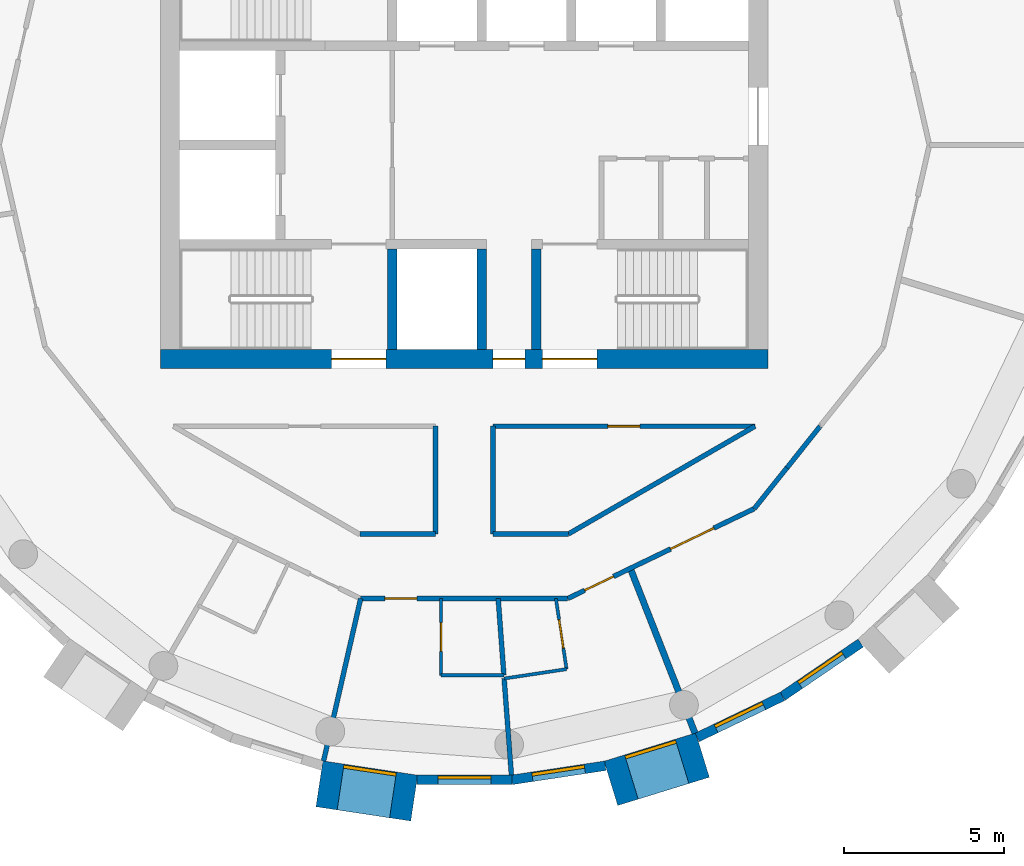
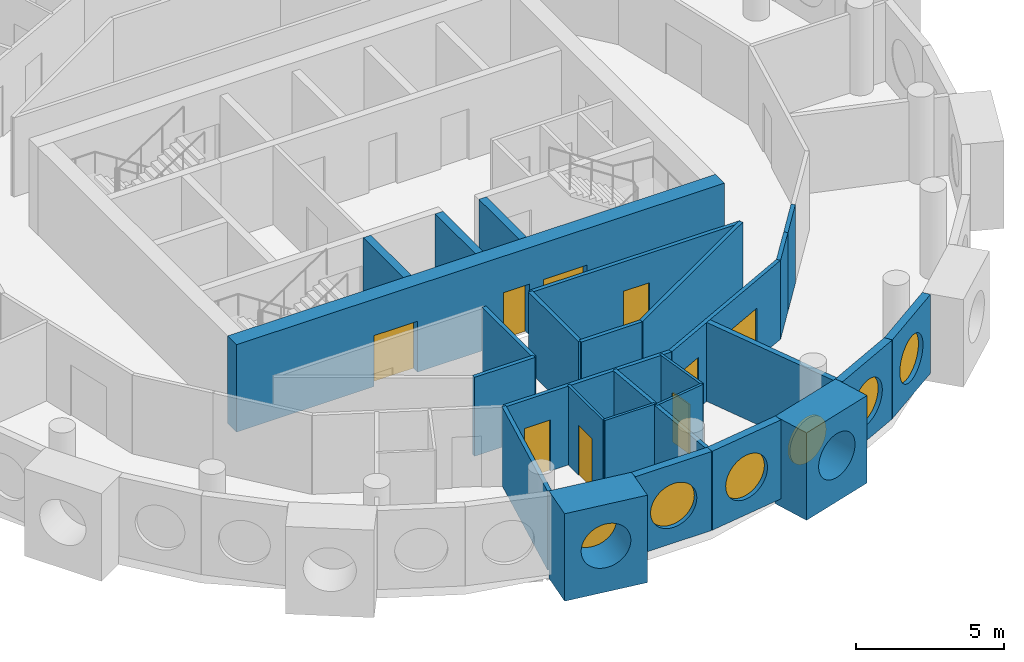
# One storey, part 4 of 13: 28 walls, 9 doors, 6 windows, 15 openings.
"""IFC4 building model written with IfcOpenShell, lengths in metres."""

from ifc_helpers import new_model, si_unit, direction, frame, frame_2d, origin, origin_2d, place, context, subcontext, project, spatial, rectangle, circle, extrude, material, layer, layer_set, type_object, element, fill, save


model = new_model("IFC4")

# Units and contexts
model_context = context("Model", 3, precision=1e-05, world=origin(), true_north=direction((0.0, 1.0)))
body_context = subcontext(model_context, "Body", "Model", "MODEL_VIEW")
ifc_project = project(units=[si_unit("LENGTHUNIT", "METRE"), si_unit("AREAUNIT", "SQUARE_METRE"), si_unit("VOLUMEUNIT", "CUBIC_METRE"), si_unit("PLANEANGLEUNIT", "RADIAN"), si_unit("MASSUNIT", "GRAM", prefix="KILO")], contexts=[model_context])

# Site, building, storey
site_placement = place(None, origin())
site = spatial("IfcSite", under=ifc_project, at=site_placement, CompositionType="ELEMENT")
building_placement = place(site_placement, origin())
building = spatial("IfcBuilding", under=site, at=building_placement, Name="Tracery Tower", CompositionType="ELEMENT")
storey_placement = place(building_placement, frame((0.0, 0.0, 319.800048828125)))
storey = spatial("IfcBuildingStorey", under=building, at=storey_placement, Name="L83", CompositionType="ELEMENT", Elevation=319.800048828125)

# Wall, openings, doors
ifc_material_1 = material(Name="Concrete C40/50", Category="concrete")
ifc_layer_1 = layer(ifc_material_1, 0.60009765625)
ifc_layer_set_1 = layer_set([ifc_layer_1], Name="Core wall 600 C40")
wall_type_1 = type_object("IfcWallType", Name="Core wall 600 C40", PredefinedType="SOLIDWALL", material=ifc_layer_set_1)
wall_1_placement = place(storey_placement, frame((-9.5, -6.699951171875, 0.0), z_axis=(0.0, 0.0, 1.0), x_axis=(1.0, 0.0, 0.0)))
wall_1 = element("IfcWall", 1, at=wall_1_placement, inside=storey, type_object=wall_type_1, Name="L83 outer S", PredefinedType="SOLIDWALL", context=body_context, shape_type="SweptSolid", body=[
    extrude(rectangle(XDim=19.0, YDim=0.60009765625, at=frame_2d((9.5, 0.0))), origin(), (0.0, 0.0, 1.0), 3.599853515625),
])
opening_1_placement = place(wall_1_placement, frame((10.39990234375, 0.0, 0.0)))
opening_1 = element("IfcOpeningElement", 2, at=opening_1_placement, cuts=wall_1, Name="Opening KD16", PredefinedType="OPENING", context=body_context, shape_type="SweptSolid", body=[
    extrude(rectangle(XDim=1.0, YDim=2.10009765625, at=frame_2d((0.5, 1.050048828125))), frame((0.0, 0.300048828125, 0.0), z_axis=(0.0, -1.0, 0.0), x_axis=(1.0, 0.0, 0.0)), (0.0, 0.0, 1.0), 0.60009765625),
])
opening_2_placement = place(wall_1_placement, frame((5.35009765625, 0.0, 0.0)))
opening_2 = element("IfcOpeningElement", 3, at=opening_2_placement, cuts=wall_1, Name="Opening KD3", PredefinedType="OPENING", context=body_context, shape_type="SweptSolid", body=[
    extrude(rectangle(XDim=1.699951171875, YDim=2.10009765625, at=frame_2d((0.85009765625, 1.050048828125))), frame((0.0, 0.300048828125, 0.0), z_axis=(0.0, -1.0, 0.0), x_axis=(1.0, 0.0, 0.0)), (0.0, 0.0, 1.0), 0.60009765625),
])
opening_3_placement = place(wall_1_placement, frame((11.949951171875, 0.0, 0.0)))
opening_3 = element("IfcOpeningElement", 4, at=opening_3_placement, cuts=wall_1, Name="Opening KD3", PredefinedType="OPENING", context=body_context, shape_type="SweptSolid", body=[
    extrude(rectangle(XDim=1.699951171875, YDim=2.10009765625, at=frame_2d((0.85009765625, 1.050048828125))), frame((0.0, 0.300048828125, 0.0), z_axis=(0.0, -1.0, 0.0), x_axis=(1.0, 0.0, 0.0)), (0.0, 0.0, 1.0), 0.60009765625),
])
ifc_material_2 = material(Name="Steel fire door", Category="steel")
door_type_1 = type_object("IfcDoorType", Name="Core exit door 1000", OperationType="NOTDEFINED", PredefinedType="DOOR", material=ifc_material_2)
door_1_placement = place(opening_1_placement, origin())
door_1 = element("IfcDoor", 5, at=door_1_placement, inside=storey, type_object=door_type_1, Name="Core exit door", OperationType="SINGLE_SWING_LEFT", OverallHeight=2.10009765625, OverallWidth=1.0, PredefinedType="DOOR", context=body_context, shape_type="SweptSolid", body=[
    extrude(rectangle(XDim=1.0, YDim=2.10009765625, at=frame_2d((0.5, 1.050048828125))), frame((0.0, 0.02490234375, 0.0), z_axis=(0.0, -1.0, 0.0), x_axis=(1.0, 0.0, 0.0)), (0.0, 0.0, 1.0), 0.050048828125),
])
fill(opening_1, door_1)
ifc_material_3 = material(Name="Steel fire door", Category="steel")
door_type_2 = type_object("IfcDoorType", Name="Core stair door 1700 double", OperationType="NOTDEFINED", PredefinedType="DOOR", material=ifc_material_3)
door_2_placement = place(opening_2_placement, origin())
door_2 = element("IfcDoor", 6, at=door_2_placement, inside=storey, type_object=door_type_2, Name="Stair door ST1 exit", OperationType="DOUBLE_DOOR_SINGLE_SWING", OverallHeight=2.10009765625, OverallWidth=1.699951171875, PredefinedType="DOOR", context=body_context, shape_type="SweptSolid", body=[
    extrude(rectangle(XDim=1.699951171875, YDim=2.10009765625, at=frame_2d((0.85009765625, 1.050048828125))), frame((0.0, 0.02490234375, 0.0), z_axis=(0.0, -1.0, 0.0), x_axis=(1.0, 0.0, 0.0)), (0.0, 0.0, 1.0), 0.050048828125),
])
fill(opening_2, door_2)
door_3_placement = place(opening_3_placement, origin())
door_3 = element("IfcDoor", 7, at=door_3_placement, inside=storey, type_object=door_type_2, Name="Stair door ST2 exit", OperationType="DOUBLE_DOOR_SINGLE_SWING", OverallHeight=2.10009765625, OverallWidth=1.699951171875, PredefinedType="DOOR", context=body_context, shape_type="SweptSolid", body=[
    extrude(rectangle(XDim=1.699951171875, YDim=2.10009765625, at=frame_2d((0.85009765625, 1.050048828125))), frame((0.0, 0.02490234375, 0.0), z_axis=(0.0, -1.0, 0.0), x_axis=(1.0, 0.0, 0.0)), (0.0, 0.0, 1.0), 0.050048828125),
])
fill(opening_3, door_3)

# Wall, opening, window
ifc_material_4 = material(Name="Precast concrete C50/60", Category="concrete")
ifc_layer_2 = layer(ifc_material_4, 1.449951171875)
ifc_layer_set_2 = layer_set([ifc_layer_2], Name="Deep-set bay unit 3000 x 3600, slab edge 350")
wall_type_2 = type_object("IfcWallType", Name="Deep-set bay unit 3000 x 3600, slab edge 350", PredefinedType="ELEMENTEDWALL", material=ifc_layer_set_2)
wall_2_placement = place(storey_placement, frame((-4.52978515625, -19.9892578125, -0.35009765625), z_axis=(0.0, 0.0, 1.0), x_axis=(0.988836445254, -0.149004981587, 0.0)))
wall_2 = element("IfcWall", 8, at=wall_2_placement, inside=storey, type_object=wall_type_2, Name="Deep-set bay unit 31 at L83", PredefinedType="ELEMENTEDWALL", context=body_context, shape_type="SweptSolid", body=[
    extrude(rectangle(XDim=3.0, YDim=1.449951171875, at=frame_2d((1.5, 0.0))), origin(), (0.0, 0.0, 1.0), 3.60009765625),
])
opening_4_placement = place(wall_2_placement, frame((1.5, 0.0, 1.89990234375)))
opening_4 = element("IfcOpeningElement", 9, at=opening_4_placement, cuts=wall_2, Name="Opening WN1", PredefinedType="OPENING", context=body_context, shape_type="SweptSolid", body=[
    extrude(circle(Radius=0.9000244140625, at=origin_2d()), frame((0.0, 0.73486328125, 0.0), z_axis=(0.0, -1.0, 0.0), x_axis=(1.0, 0.0, 0.0)), (0.0, 0.0, 1.0), 1.469970703125),
])
ifc_material_5 = material(Name="Aluminium frame with tinted double glazing", Category="aluminium")
window_type = type_object("IfcWindowType", Name="Round window 1800", PartitioningType="SINGLE_PANEL", PredefinedType="WINDOW", material=ifc_material_5)
window_1_placement = place(opening_4_placement, origin())
window_1 = element("IfcWindow", 10, at=window_1_placement, inside=storey, type_object=window_type, Name="Round window 31 at L83", OverallHeight=1.800048828125, OverallWidth=1.800048828125, PartitioningType="SINGLE_PANEL", PredefinedType="WINDOW", context=body_context, shape_type="SweptSolid", body=[
    extrude(circle(Radius=0.9000244140625, at=origin_2d()), frame((0.0, 0.69482421875, 0.0), z_axis=(0.0, -1.0, 0.0), x_axis=(1.0, 0.0, 0.0)), (0.0, 0.0, 1.0), 0.10009765625),
])
fill(opening_4, window_1)

wall_3_placement = place(storey_placement, frame((4.591796875, -19.97509765625, -0.35009765625), z_axis=(0.0, 0.0, 1.0), x_axis=(0.955571139978, 0.294760574774, 0.0)))
wall_3 = element("IfcWall", 11, at=wall_3_placement, inside=storey, type_object=wall_type_2, Name="Deep-set bay unit 34 at L83", PredefinedType="ELEMENTEDWALL", context=body_context, shape_type="SweptSolid", body=[
    extrude(rectangle(XDim=3.0, YDim=1.449951171875, at=frame_2d((1.5, 0.0))), origin(), (0.0, 0.0, 1.0), 3.60009765625),
])
opening_5_placement = place(wall_3_placement, frame((1.5, 0.0, 1.89990234375)))
opening_5 = element("IfcOpeningElement", 12, at=opening_5_placement, cuts=wall_3, Name="Opening WN1", PredefinedType="OPENING", context=body_context, shape_type="SweptSolid", body=[
    extrude(circle(Radius=0.9000244140625, at=origin_2d()), frame((0.0, 0.73486328125, 0.0), z_axis=(0.0, -1.0, 0.0), x_axis=(1.0, 0.0, 0.0)), (0.0, 0.0, 1.0), 1.469970703125),
])
window_2_placement = place(opening_5_placement, origin())
window_2 = element("IfcWindow", 13, at=window_2_placement, inside=storey, type_object=window_type, Name="Round window 34 at L83", OverallHeight=1.800048828125, OverallWidth=1.800048828125, PartitioningType="SINGLE_PANEL", PredefinedType="WINDOW", context=body_context, shape_type="SweptSolid", body=[
    extrude(circle(Radius=0.9000244140625, at=origin_2d()), frame((0.0, 0.69482421875, 0.0), z_axis=(0.0, -1.0, 0.0), x_axis=(1.0, 0.0, 0.0)), (0.0, 0.0, 1.0), 0.10009765625),
])
fill(opening_5, window_2)

ifc_material_6 = material(Name="Precast concrete C50/60", Category="concrete")
ifc_layer_3 = layer(ifc_material_6, 0.300048828125)
ifc_layer_set_3 = layer_set([ifc_layer_3], Name="Facade panel 3000 x 3250")
wall_type_3 = type_object("IfcWallType", Name="Facade panel 3000 x 3250", PredefinedType="SOLIDWALL", material=ifc_layer_set_3)
wall_4_placement = place(storey_placement, frame((-1.473388671875, -19.865966796875, 0.0), z_axis=(0.0, 0.0, 1.0), x_axis=(1.0, 0.0, 0.0)))
wall_4 = element("IfcWall", 14, at=wall_4_placement, inside=storey, type_object=wall_type_3, Name="Facade panel 32 at L83", PredefinedType="SOLIDWALL", context=body_context, shape_type="SweptSolid", body=[
    extrude(rectangle(XDim=2.962158203125, YDim=0.300048828125, at=frame_2d((1.48095703125, 0.0))), origin(), (0.0, 0.0, 1.0), 3.25),
])
opening_6_placement = place(wall_4_placement, frame((1.48095703125, 0.0, 1.5498046875)))
opening_6 = element("IfcOpeningElement", 15, at=opening_6_placement, cuts=wall_4, Name="Opening WN1", PredefinedType="OPENING", context=body_context, shape_type="SweptSolid", body=[
    extrude(circle(Radius=0.9000244140625, at=origin_2d()), frame((0.0, 0.159912109375, 0.0), z_axis=(0.0, -1.0, 0.0), x_axis=(1.0, 0.0, 0.0)), (0.0, 0.0, 1.0), 0.320068359375),
])
window_3_placement = place(opening_6_placement, origin())
window_3 = element("IfcWindow", 16, at=window_3_placement, inside=storey, type_object=window_type, Name="Round window 32 at L83", OverallHeight=1.800048828125, OverallWidth=1.800048828125, PartitioningType="SINGLE_PANEL", PredefinedType="WINDOW", context=body_context, shape_type="SweptSolid", body=[
    extrude(circle(Radius=0.9000244140625, at=origin_2d()), frame((0.0, 0.1201171875, 0.0), z_axis=(0.0, -1.0, 0.0), x_axis=(1.0, 0.0, 0.0)), (0.0, 0.0, 1.0), 0.10009765625),
])
fill(opening_6, window_3)

wall_5_placement = place(storey_placement, frame((1.48876953125, -19.865966796875, 0.0), z_axis=(0.0, 0.0, 1.0), x_axis=(0.988835775663, 0.149009425104, 0.0)))
wall_5 = element("IfcWall", 17, at=wall_5_placement, inside=storey, type_object=wall_type_3, Name="Facade panel 33 at L83", PredefinedType="SOLIDWALL", context=body_context, shape_type="SweptSolid", body=[
    extrude(rectangle(XDim=2.962158203125, YDim=0.300048828125, at=frame_2d((1.48095703125, 0.0))), origin(), (0.0, 0.0, 1.0), 3.25),
])
opening_7_placement = place(wall_5_placement, frame((1.48095703125, 0.0, 1.5498046875)))
opening_7 = element("IfcOpeningElement", 18, at=opening_7_placement, cuts=wall_5, Name="Opening WN1", PredefinedType="OPENING", context=body_context, shape_type="SweptSolid", body=[
    extrude(circle(Radius=0.9000244140625, at=origin_2d()), frame((0.0, 0.159912109375, 0.0), z_axis=(0.0, -1.0, 0.0), x_axis=(1.0, 0.0, 0.0)), (0.0, 0.0, 1.0), 0.320068359375),
])
window_4_placement = place(opening_7_placement, origin())
window_4 = element("IfcWindow", 19, at=window_4_placement, inside=storey, type_object=window_type, Name="Round window 33 at L83", OverallHeight=1.800048828125, OverallWidth=1.800048828125, PartitioningType="SINGLE_PANEL", PredefinedType="WINDOW", context=body_context, shape_type="SweptSolid", body=[
    extrude(circle(Radius=0.9000244140625, at=origin_2d()), frame((0.0, 0.1201171875, 0.0), z_axis=(0.0, -1.0, 0.0), x_axis=(1.0, 0.0, 0.0)), (0.0, 0.0, 1.0), 0.10009765625),
])
fill(opening_7, window_4)

wall_6_placement = place(storey_placement, frame((7.2919921875, -18.5380859375, 0.0), z_axis=(0.0, 0.0, 1.0), x_axis=(0.90095513435, 0.433912255978, 0.0)))
wall_6 = element("IfcWall", 20, at=wall_6_placement, inside=storey, type_object=wall_type_3, Name="Facade panel 35 at L83", PredefinedType="SOLIDWALL", context=body_context, shape_type="SweptSolid", body=[
    extrude(rectangle(XDim=2.96240234375, YDim=0.300048828125, at=frame_2d((1.481201171875, 0.0))), origin(), (0.0, 0.0, 1.0), 3.25),
])
opening_8_placement = place(wall_6_placement, frame((1.48095703125, 0.0, 1.5498046875)))
opening_8 = element("IfcOpeningElement", 21, at=opening_8_placement, cuts=wall_6, Name="Opening WN1", PredefinedType="OPENING", context=body_context, shape_type="SweptSolid", body=[
    extrude(circle(Radius=0.9000244140625, at=origin_2d()), frame((0.0, 0.159912109375, 0.0), z_axis=(0.0, -1.0, 0.0), x_axis=(1.0, 0.0, 0.0)), (0.0, 0.0, 1.0), 0.320068359375),
])
window_5_placement = place(opening_8_placement, origin())
window_5 = element("IfcWindow", 22, at=window_5_placement, inside=storey, type_object=window_type, Name="Round window 35 at L83", OverallHeight=1.800048828125, OverallWidth=1.800048828125, PartitioningType="SINGLE_PANEL", PredefinedType="WINDOW", context=body_context, shape_type="SweptSolid", body=[
    extrude(circle(Radius=0.9000244140625, at=origin_2d()), frame((0.0, 0.1201171875, 0.0), z_axis=(0.0, -1.0, 0.0), x_axis=(1.0, 0.0, 0.0)), (0.0, 0.0, 1.0), 0.10009765625),
])
fill(opening_8, window_5)

wall_7_placement = place(storey_placement, frame((9.9609375, -17.252685546875, 0.0), z_axis=(0.0, 0.0, 1.0), x_axis=(0.826236061068, 0.563324037646, 0.0)))
wall_7 = element("IfcWall", 23, at=wall_7_placement, inside=storey, type_object=wall_type_3, Name="Facade panel 36 at L83", PredefinedType="SOLIDWALL", context=body_context, shape_type="SweptSolid", body=[
    extrude(rectangle(XDim=2.962158203125, YDim=0.300048828125, at=frame_2d((1.48095703125, 0.0))), origin(), (0.0, 0.0, 1.0), 3.25),
])
opening_9_placement = place(wall_7_placement, frame((1.48095703125, 0.0, 1.5498046875)))
opening_9 = element("IfcOpeningElement", 24, at=opening_9_placement, cuts=wall_7, Name="Opening WN1", PredefinedType="OPENING", context=body_context, shape_type="SweptSolid", body=[
    extrude(circle(Radius=0.9000244140625, at=origin_2d()), frame((0.0, 0.159912109375, 0.0), z_axis=(0.0, -1.0, 0.0), x_axis=(1.0, 0.0, 0.0)), (0.0, 0.0, 1.0), 0.320068359375),
])
window_6_placement = place(opening_9_placement, origin())
window_6 = element("IfcWindow", 25, at=window_6_placement, inside=storey, type_object=window_type, Name="Round window 36 at L83", OverallHeight=1.800048828125, OverallWidth=1.800048828125, PartitioningType="SINGLE_PANEL", PredefinedType="WINDOW", context=body_context, shape_type="SweptSolid", body=[
    extrude(circle(Radius=0.9000244140625, at=origin_2d()), frame((0.0, 0.1201171875, 0.0), z_axis=(0.0, -1.0, 0.0), x_axis=(1.0, 0.0, 0.0)), (0.0, 0.0, 1.0), 0.10009765625),
])
fill(opening_9, window_6)

# Wall, opening, door
ifc_material_7 = material(Name="Plasterboard on steel studs", Category="steel")
ifc_layer_4 = layer(ifc_material_7, 0.10009765625)
ifc_layer_set_4 = layer_set([ifc_layer_4], Name="Partition 100 wet wall")
wall_type_4 = type_object("IfcWallType", Name="Partition 100 wet wall", PredefinedType="PARTITIONING", material=ifc_layer_set_4)
wall_8_placement = place(storey_placement, frame((-0.721923828125, -16.592041015625, 0.0), z_axis=(0.0, 0.0, 1.0), x_axis=(0.0, 1.0, 0.0)))
wall_8 = element("IfcWall", 26, at=wall_8_placement, inside=storey, type_object=wall_type_4, Name="Wet wall RC9-062", PredefinedType="PARTITIONING", context=body_context, shape_type="SweptSolid", body=[
    extrude(rectangle(XDim=2.400146484375, YDim=0.10009765625, at=frame_2d((1.2001953125, 0.0))), origin(), (0.0, 0.0, 1.0), 3.25),
])
opening_10_placement = place(wall_8_placement, frame((0.75, 0.0, 0.0)))
opening_10 = element("IfcOpeningElement", 27, at=opening_10_placement, cuts=wall_8, Name="Opening RC9-17", PredefinedType="OPENING", context=body_context, shape_type="SweptSolid", body=[
    extrude(rectangle(XDim=0.89990234375, YDim=2.0400390625, at=frame_2d((0.449951171875, 1.02001953125))), frame((0.0, 0.050048828125, 0.0), z_axis=(0.0, -1.0, 0.0), x_axis=(1.0, 0.0, 0.0)), (0.0, 0.0, 1.0), 0.10009765625),
])
ifc_material_8 = material(Name="Timber door leaf", Category="wood")
door_type_3 = type_object("IfcDoorType", Name="Door en-suite 900", OperationType="NOTDEFINED", PredefinedType="DOOR", material=ifc_material_8)
door_4_placement = place(opening_10_placement, origin())
door_4 = element("IfcDoor", 28, at=door_4_placement, inside=storey, type_object=door_type_3, Name="En-suite door RC9-17", OperationType="SINGLE_SWING_RIGHT", OverallHeight=2.0400390625, OverallWidth=0.89990234375, PredefinedType="DOOR", context=body_context, shape_type="SweptSolid", body=[
    extrude(rectangle(XDim=0.89990234375, YDim=2.0400390625, at=frame_2d((0.449951171875, 1.02001953125))), frame((0.0, 0.02490234375, 0.0), z_axis=(0.0, -1.0, 0.0), x_axis=(1.0, 0.0, 0.0)), (0.0, 0.0, 1.0), 0.050048828125),
])
fill(opening_10, door_4)

# Walls
wall_9_placement = place(storey_placement, frame((-0.721923828125, -16.592041015625, 0.0), z_axis=(0.0, 0.0, 1.0), x_axis=(1.0, 0.0, 0.0)))
element("IfcWall", 29, at=wall_9_placement, inside=storey, type_object=wall_type_4, Name="Wet wall RC9-063", PredefinedType="PARTITIONING", context=body_context, shape_type="SweptSolid", body=[
    extrude(rectangle(XDim=1.96484375, YDim=0.10009765625, at=frame_2d((0.982421875, 0.0))), origin(), (0.0, 0.0, 1.0), 3.25),
])
wall_10_placement = place(storey_placement, frame((1.2509765625, -16.695068359375, 0.0), z_axis=(0.0, 0.0, 1.0), x_axis=(0.988831780565, 0.149035934407, 0.0)))
element("IfcWall", 30, at=wall_10_placement, inside=storey, type_object=wall_type_4, Name="Wet wall RC9-066", PredefinedType="PARTITIONING", context=body_context, shape_type="SweptSolid", body=[
    extrude(rectangle(XDim=1.973876953125, YDim=0.10009765625, at=frame_2d((0.98681640625, 0.0))), origin(), (0.0, 0.0, 1.0), 3.25),
])

# Wall, opening, door
wall_11_placement = place(storey_placement, frame((2.8701171875, -14.19189453125, 0.0), z_axis=(0.0, 0.0, 1.0), x_axis=(0.148960349288, -0.988843169739, 0.0)))
wall_11 = element("IfcWall", 31, at=wall_11_placement, inside=storey, type_object=wall_type_4, Name="Wet wall RC9-067", PredefinedType="PARTITIONING", context=body_context, shape_type="SweptSolid", body=[
    extrude(rectangle(XDim=2.23388671875, YDim=0.10009765625, at=frame_2d((1.116943359375, 0.0))), origin(), (0.0, 0.0, 1.0), 3.25),
])
opening_11_placement = place(wall_11_placement, frame((0.6669921875, 0.0, 0.0)))
opening_11 = element("IfcOpeningElement", 32, at=opening_11_placement, cuts=wall_11, Name="Opening RC9-19", PredefinedType="OPENING", context=body_context, shape_type="SweptSolid", body=[
    extrude(rectangle(XDim=0.89990234375, YDim=2.0400390625, at=frame_2d((0.449951171875, 1.02001953125))), frame((0.0, 0.050048828125, 0.0), z_axis=(0.0, -1.0, 0.0), x_axis=(1.0, 0.0, 0.0)), (0.0, 0.0, 1.0), 0.10009765625),
])
door_5_placement = place(opening_11_placement, origin())
door_5 = element("IfcDoor", 33, at=door_5_placement, inside=storey, type_object=door_type_3, Name="En-suite door RC9-19", OperationType="SINGLE_SWING_RIGHT", OverallHeight=2.0400390625, OverallWidth=0.89990234375, PredefinedType="DOOR", context=body_context, shape_type="SweptSolid", body=[
    extrude(rectangle(XDim=0.89990234375, YDim=2.0400390625, at=frame_2d((0.449951171875, 1.02001953125))), frame((0.0, 0.02490234375, 0.0), z_axis=(0.0, -1.0, 0.0), x_axis=(1.0, 0.0, 0.0)), (0.0, 0.0, 1.0), 0.050048828125),
])
fill(opening_11, door_5)

# Walls
ifc_material_9 = material(Name="Plasterboard on steel studs", Category="steel")
ifc_layer_5 = layer(ifc_material_9, 0.14990234375)
ifc_layer_set_5 = layer_set([ifc_layer_5], Name="Partition 150 acoustic unit wall")
wall_type_5 = type_object("IfcWallType", Name="Partition 150 acoustic unit wall", PredefinedType="PARTITIONING", material=ifc_layer_set_5)
wall_12_placement = place(storey_placement, frame((-4.39990234375, -19.27587890625, 0.0), z_axis=(0.0, 0.0, 1.0), x_axis=(0.222612505682, 0.974907007008, 0.0)))
element("IfcWall", 34, at=wall_12_placement, inside=storey, type_object=wall_type_5, Name="Unit wall RC9-061", PredefinedType="PARTITIONING", context=body_context, shape_type="SweptSolid", body=[
    extrude(rectangle(XDim=5.21484375, YDim=0.14990234375, at=frame_2d((2.607421875, 0.0))), origin(), (0.0, 0.0, 1.0), 3.25),
])
wall_13_placement = place(storey_placement, frame((1.25, -16.69091796875, 0.0), z_axis=(0.0, 0.0, 1.0), x_axis=(0.075164061246, -0.99717118084, 0.0)))
element("IfcWall", 35, at=wall_13_placement, inside=storey, type_object=wall_type_5, Name="Unit wall RC9-064", PredefinedType="PARTITIONING", context=body_context, shape_type="SweptSolid", body=[
    extrude(rectangle(XDim=3.03369140625, YDim=0.14990234375, at=frame_2d((1.516845703125, 0.0))), origin(), (0.0, 0.0, 1.0), 3.25),
])
wall_14_placement = place(storey_placement, frame((1.06396484375, -14.19189453125, 0.0), z_axis=(0.0, 0.0, 1.0), x_axis=(0.074353677934, -0.997231934195, 0.0)))
element("IfcWall", 36, at=wall_14_placement, inside=storey, type_object=wall_type_5, Name="Unit wall RC9-065", PredefinedType="PARTITIONING", context=body_context, shape_type="SweptSolid", body=[
    extrude(rectangle(XDim=2.40673828125, YDim=0.14990234375, at=frame_2d((1.203369140625, 0.0))), origin(), (0.0, 0.0, 1.0), 3.25),
])

# Wall, opening, door
ifc_material_10 = material(Name="Plasterboard on steel studs", Category="steel")
ifc_layer_6 = layer(ifc_material_10, 0.14990234375)
ifc_layer_set_6 = layer_set([ifc_layer_6], Name="Partition 150 corridor wall")
wall_type_6 = type_object("IfcWallType", Name="Partition 150 corridor wall", PredefinedType="PARTITIONING", material=ifc_layer_set_6)
wall_15_placement = place(storey_placement, frame((0.89599609375, -8.800048828125, 0.0), z_axis=(0.0, 0.0, 1.0), x_axis=(1.0, 0.0, 0.0)))
wall_15 = element("IfcWall", 37, at=wall_15_placement, inside=storey, type_object=wall_type_6, Name="Corridor wall RC9-013", PredefinedType="PARTITIONING", context=body_context, shape_type="SweptSolid", body=[
    extrude(rectangle(XDim=8.20458984375, YDim=0.14990234375, at=frame_2d((4.102294921875, 0.0))), origin(), (0.0, 0.0, 1.0), 3.25),
])
opening_12_placement = place(wall_15_placement, frame((3.597900390625, 0.0, 0.0)))
opening_12 = element("IfcOpeningElement", 38, at=opening_12_placement, cuts=wall_15, Name="Opening RC9-03", PredefinedType="OPENING", context=body_context, shape_type="SweptSolid", body=[
    extrude(rectangle(XDim=1.0, YDim=2.0400390625, at=frame_2d((0.5, 1.02001953125))), frame((0.0, 0.074951171875, 0.0), z_axis=(0.0, -1.0, 0.0), x_axis=(1.0, 0.0, 0.0)), (0.0, 0.0, 1.0), 0.14990234375),
])
ifc_material_11 = material(Name="Timber door leaf", Category="wood")
door_type_4 = type_object("IfcDoorType", Name="Door communal room 1000", OperationType="NOTDEFINED", PredefinedType="DOOR", material=ifc_material_11)
door_6_placement = place(opening_12_placement, origin())
door_6 = element("IfcDoor", 39, at=door_6_placement, inside=storey, type_object=door_type_4, Name="Communal room door RC9-03", OperationType="SINGLE_SWING_RIGHT", OverallHeight=2.0400390625, OverallWidth=1.0, PredefinedType="DOOR", context=body_context, shape_type="SweptSolid", body=[
    extrude(rectangle(XDim=1.0, YDim=2.0400390625, at=frame_2d((0.5, 1.02001953125))), frame((0.0, 0.02490234375, 0.0), z_axis=(0.0, -1.0, 0.0), x_axis=(1.0, 0.0, 0.0)), (0.0, 0.0, 1.0), 0.050048828125),
])
fill(opening_12, door_6)

# Walls
wall_16_placement = place(storey_placement, frame((10.10107421875, -10.10107421875, 0.0), z_axis=(0.0, 0.0, 1.0), x_axis=(0.623098344652, 0.782143498913, 0.0)))
element("IfcWall", 40, at=wall_16_placement, inside=storey, type_object=wall_type_6, Name="Corridor wall RC9-019", PredefinedType="PARTITIONING", context=body_context, shape_type="SweptSolid", body=[
    extrude(rectangle(XDim=1.660888671875, YDim=0.14990234375, at=frame_2d((0.83056640625, 0.0))), origin(), (0.0, 0.0, 1.0), 3.25),
])
wall_17_placement = place(storey_placement, frame((-3.260986328125, -12.1708984375, 0.0), z_axis=(0.0, 0.0, 1.0), x_axis=(1.0, 0.0, 0.0)))
element("IfcWall", 41, at=wall_17_placement, inside=storey, type_object=wall_type_6, Name="Corridor wall RC9-034", PredefinedType="PARTITIONING", context=body_context, shape_type="SweptSolid", body=[
    extrude(rectangle(XDim=2.361083984375, YDim=0.14990234375, at=frame_2d((1.1806640625, 0.0))), origin(), (0.0, 0.0, 1.0), 3.25),
])
for number, where, z_axis, x_axis, name in (
    (42, (-0.89990234375, -12.1708984375, 0.0), (0.0, 0.0, 1.0), (0.0, 1.0, 0.0), "Corridor wall RC9-035"),
    (43, (0.89990234375, -12.1708984375, 0.0), (0.0, 0.0, 1.0), (0.0, 1.0, 0.0), "Corridor wall RC9-036"),
):
    element("IfcWall", number, at=place(storey_placement, frame(where, z_axis=z_axis, x_axis=x_axis)), inside=storey, type_object=wall_type_6, Name=name, PredefinedType="PARTITIONING", context=body_context, shape_type="SweptSolid", body=[
        extrude(rectangle(XDim=3.370849609375, YDim=0.14990234375, at=frame_2d((1.685546875, 0.0))), origin(), (0.0, 0.0, 1.0), 3.25),
    ])
wall_18_placement = place(storey_placement, frame((0.89990234375, -12.1708984375, 0.0), z_axis=(0.0, 0.0, 1.0), x_axis=(1.0, 0.0, 0.0)))
element("IfcWall", 44, at=wall_18_placement, inside=storey, type_object=wall_type_6, Name="Corridor wall RC9-037", PredefinedType="PARTITIONING", context=body_context, shape_type="SweptSolid", body=[
    extrude(rectangle(XDim=2.361083984375, YDim=0.14990234375, at=frame_2d((1.1806640625, 0.0))), origin(), (0.0, 0.0, 1.0), 3.25),
])
wall_19_placement = place(storey_placement, frame((3.260986328125, -12.1708984375, 0.0), z_axis=(0.0, 0.0, 1.0), x_axis=(0.866066809554, 0.499928276245, 0.0)))
element("IfcWall", 45, at=wall_19_placement, inside=storey, type_object=wall_type_6, Name="Corridor wall RC9-038", PredefinedType="PARTITIONING", context=body_context, shape_type="SweptSolid", body=[
    extrude(rectangle(XDim=6.74267578125, YDim=0.14990234375, at=frame_2d((3.371337890625, 0.0))), origin(), (0.0, 0.0, 1.0), 3.25),
])

# Wall, opening, door
wall_20_placement = place(storey_placement, frame((-3.239013671875, -14.19189453125, 0.0), z_axis=(0.0, 0.0, 1.0), x_axis=(1.0, 0.0, 0.0)))
wall_20 = element("IfcWall", 46, at=wall_20_placement, inside=storey, type_object=wall_type_6, Name="Corridor wall RC9-040", PredefinedType="PARTITIONING", context=body_context, shape_type="SweptSolid", body=[
    extrude(rectangle(XDim=6.47802734375, YDim=0.14990234375, at=frame_2d((3.239013671875, 0.0))), origin(), (0.0, 0.0, 1.0), 3.25),
])
opening_13_placement = place(wall_20_placement, frame((0.760986328125, 0.0, 0.0)))
opening_13 = element("IfcOpeningElement", 47, at=opening_13_placement, cuts=wall_20, Name="Opening RC9-18", PredefinedType="OPENING", context=body_context, shape_type="SweptSolid", body=[
    extrude(rectangle(XDim=1.0, YDim=2.10009765625, at=frame_2d((0.5, 1.050048828125))), frame((0.0, 0.074951171875, 0.0), z_axis=(0.0, -1.0, 0.0), x_axis=(1.0, 0.0, 0.0)), (0.0, 0.0, 1.0), 0.14990234375),
])
ifc_material_12 = material(Name="Timber door leaf", Category="wood")
door_type_5 = type_object("IfcDoorType", Name="Door unit entrance 1000", OperationType="NOTDEFINED", PredefinedType="DOOR", material=ifc_material_12)
door_7_placement = place(opening_13_placement, origin())
door_7 = element("IfcDoor", 48, at=door_7_placement, inside=storey, type_object=door_type_5, Name="Unit entrance door RC9-18", OperationType="SINGLE_SWING_LEFT", OverallHeight=2.10009765625, OverallWidth=1.0, PredefinedType="DOOR", context=body_context, shape_type="SweptSolid", body=[
    extrude(rectangle(XDim=1.0, YDim=2.10009765625, at=frame_2d((0.5, 1.050048828125))), frame((0.0, 0.02490234375, 0.0), z_axis=(0.0, -1.0, 0.0), x_axis=(1.0, 0.0, 0.0)), (0.0, 0.0, 1.0), 0.050048828125),
])
fill(opening_13, door_7)

# Wall, openings, doors
wall_21_placement = place(storey_placement, frame((3.239013671875, -14.19189453125, 0.0), z_axis=(0.0, 0.0, 1.0), x_axis=(0.900851590682, 0.434127183629, 0.0)))
wall_21 = element("IfcWall", 49, at=wall_21_placement, inside=storey, type_object=wall_type_6, Name="Corridor wall RC9-041", PredefinedType="PARTITIONING", context=body_context, shape_type="SweptSolid", body=[
    extrude(rectangle(XDim=6.478515625, YDim=0.14990234375, at=frame_2d((3.2392578125, 0.0))), origin(), (0.0, 0.0, 1.0), 3.25),
])
opening_14_placement = place(wall_21_placement, frame((0.589111328125, 0.0, 0.0)))
opening_14 = element("IfcOpeningElement", 50, at=opening_14_placement, cuts=wall_21, Name="Opening RC9-20", PredefinedType="OPENING", context=body_context, shape_type="SweptSolid", body=[
    extrude(rectangle(XDim=1.0, YDim=2.10009765625, at=frame_2d((0.5, 1.050048828125))), frame((0.0, 0.074951171875, 0.0), z_axis=(0.0, -1.0, 0.0), x_axis=(1.0, 0.0, 0.0)), (0.0, 0.0, 1.0), 0.14990234375),
])
opening_15_placement = place(wall_21_placement, frame((3.57470703125, 0.0, 0.0)))
opening_15 = element("IfcOpeningElement", 51, at=opening_15_placement, cuts=wall_21, Name="Opening RC9-21", PredefinedType="OPENING", context=body_context, shape_type="SweptSolid", body=[
    extrude(rectangle(XDim=1.5, YDim=2.10009765625, at=frame_2d((0.75, 1.050048828125))), frame((0.0, 0.074951171875, 0.0), z_axis=(0.0, -1.0, 0.0), x_axis=(1.0, 0.0, 0.0)), (0.0, 0.0, 1.0), 0.14990234375),
])
ifc_material_13 = material(Name="Timber door leaf", Category="wood")
door_type_6 = type_object("IfcDoorType", Name="Door double kitchen 1500", OperationType="NOTDEFINED", PredefinedType="DOOR", material=ifc_material_13)
door_8_placement = place(opening_15_placement, origin())
door_8 = element("IfcDoor", 52, at=door_8_placement, inside=storey, type_object=door_type_6, Name="Double kitchen door RC9-21", OperationType="DOUBLE_DOOR_SINGLE_SWING", OverallHeight=2.10009765625, OverallWidth=1.5, PredefinedType="DOOR", context=body_context, shape_type="SweptSolid", body=[
    extrude(rectangle(XDim=1.5, YDim=2.10009765625, at=frame_2d((0.75, 1.050048828125))), frame((0.0, 0.02490234375, 0.0), z_axis=(0.0, -1.0, 0.0), x_axis=(1.0, 0.0, 0.0)), (0.0, 0.0, 1.0), 0.050048828125),
])
fill(opening_15, door_8)
door_9_placement = place(opening_14_placement, origin())
door_9 = element("IfcDoor", 53, at=door_9_placement, inside=storey, type_object=door_type_5, Name="Unit entrance door RC9-20", OperationType="SINGLE_SWING_RIGHT", OverallHeight=2.10009765625, OverallWidth=1.0, PredefinedType="DOOR", context=body_context, shape_type="SweptSolid", body=[
    extrude(rectangle(XDim=1.0, YDim=2.10009765625, at=frame_2d((0.5, 1.050048828125))), frame((0.0, 0.02490234375, 0.0), z_axis=(0.0, -1.0, 0.0), x_axis=(1.0, 0.0, 0.0)), (0.0, 0.0, 1.0), 0.050048828125),
])
fill(opening_14, door_9)

# Walls
wall_22_placement = place(storey_placement, frame((9.075927734375, -11.381103515625, 0.0), z_axis=(0.0, 0.0, 1.0), x_axis=(0.623805208652, 0.781579849829, 0.0)))
element("IfcWall", 54, at=wall_22_placement, inside=storey, type_object=wall_type_6, Name="Corridor wall RC9-042", PredefinedType="PARTITIONING", context=body_context, shape_type="SweptSolid", body=[
    extrude(rectangle(XDim=1.64013671875, YDim=0.14990234375, at=frame_2d((0.820068359375, 0.0))), origin(), (0.0, 0.0, 1.0), 3.25),
])
ifc_material_14 = material(Name="Plasterboard on steel studs", Category="steel")
ifc_layer_7 = layer(ifc_material_14, 0.199951171875)
ifc_layer_set_7 = layer_set([ifc_layer_7], Name="Partition 200 compartment wall")
wall_type_7 = type_object("IfcWallType", Name="Partition 200 compartment wall", PredefinedType="PARTITIONING", material=ifc_layer_set_7)
wall_23_placement = place(storey_placement, frame((5.198974609375, -13.248046875, 0.0), z_axis=(0.0, 0.0, 1.0), x_axis=(0.365334662456, -0.930876245485, 0.0)))
element("IfcWall", 55, at=wall_23_placement, inside=storey, type_object=wall_type_7, Name="Compartment wall RC9-068", PredefinedType="PARTITIONING", context=body_context, shape_type="SweptSolid", body=[
    extrude(rectangle(XDim=5.5400390625, YDim=0.199951171875, at=frame_2d((2.77001953125, 0.0))), origin(), (0.0, 0.0, 1.0), 3.25),
])
ifc_material_15 = material(Name="Concrete C40/50", Category="concrete")
ifc_layer_8 = layer(ifc_material_15, 0.300048828125)
ifc_layer_set_8 = layer_set([ifc_layer_8], Name="Shaft wall 300 C40")
wall_type_8 = type_object("IfcWallType", Name="Shaft wall 300 C40", PredefinedType="SOLIDWALL", material=ifc_layer_set_8)
wall_24_placement = place(storey_placement, frame((0.550048828125, -6.39990234375, 0.0), z_axis=(0.0, 0.0, 1.0), x_axis=(0.0, 1.0, 0.0)))
element("IfcWall", 56, at=wall_24_placement, inside=storey, type_object=wall_type_8, Name="L83 OB2 E", PredefinedType="SOLIDWALL", context=body_context, shape_type="SweptSolid", body=[
    extrude(rectangle(XDim=3.14990234375, YDim=0.300048828125, at=frame_2d((1.574951171875, 0.0))), origin(), (0.0, 0.0, 1.0), 3.25),
])
ifc_material_16 = material(Name="Concrete C40/50", Category="concrete")
ifc_layer_9 = layer(ifc_material_16, 0.300048828125)
ifc_layer_set_9 = layer_set([ifc_layer_9], Name="Stair wall 300 C40")
wall_type_9 = type_object("IfcWallType", Name="Stair wall 300 C40", PredefinedType="SOLIDWALL", material=ifc_layer_set_9)
for number, where, z_axis, x_axis, name in (
    (57, (-2.25, -6.39990234375, 0.0), (0.0, 0.0, 1.0), (0.0, 1.0, 0.0), "L83 ST1 E"),
    (58, (2.25, -6.39990234375, 0.0), (0.0, 0.0, 1.0), (0.0, 1.0, 0.0), "L83 ST2 W"),
):
    element("IfcWall", number, at=place(storey_placement, frame(where, z_axis=z_axis, x_axis=x_axis)), inside=storey, type_object=wall_type_9, Name=name, PredefinedType="SOLIDWALL", context=body_context, shape_type="SweptSolid", body=[
        extrude(rectangle(XDim=3.14990234375, YDim=0.300048828125, at=frame_2d((1.574951171875, 0.0))), origin(), (0.0, 0.0, 1.0), 3.25),
    ])

save(model, "model.ifc")
